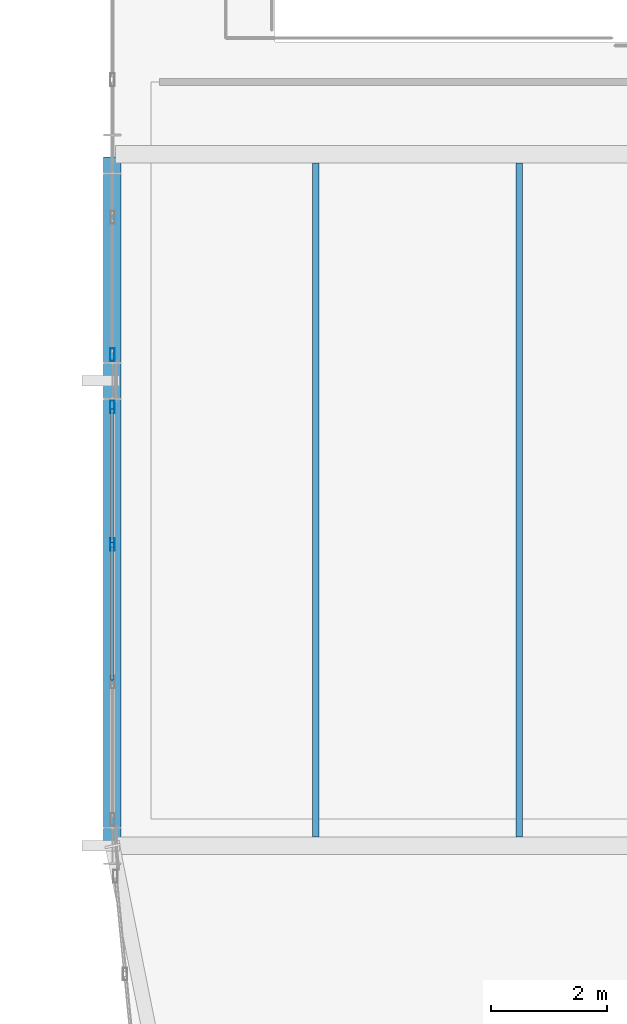
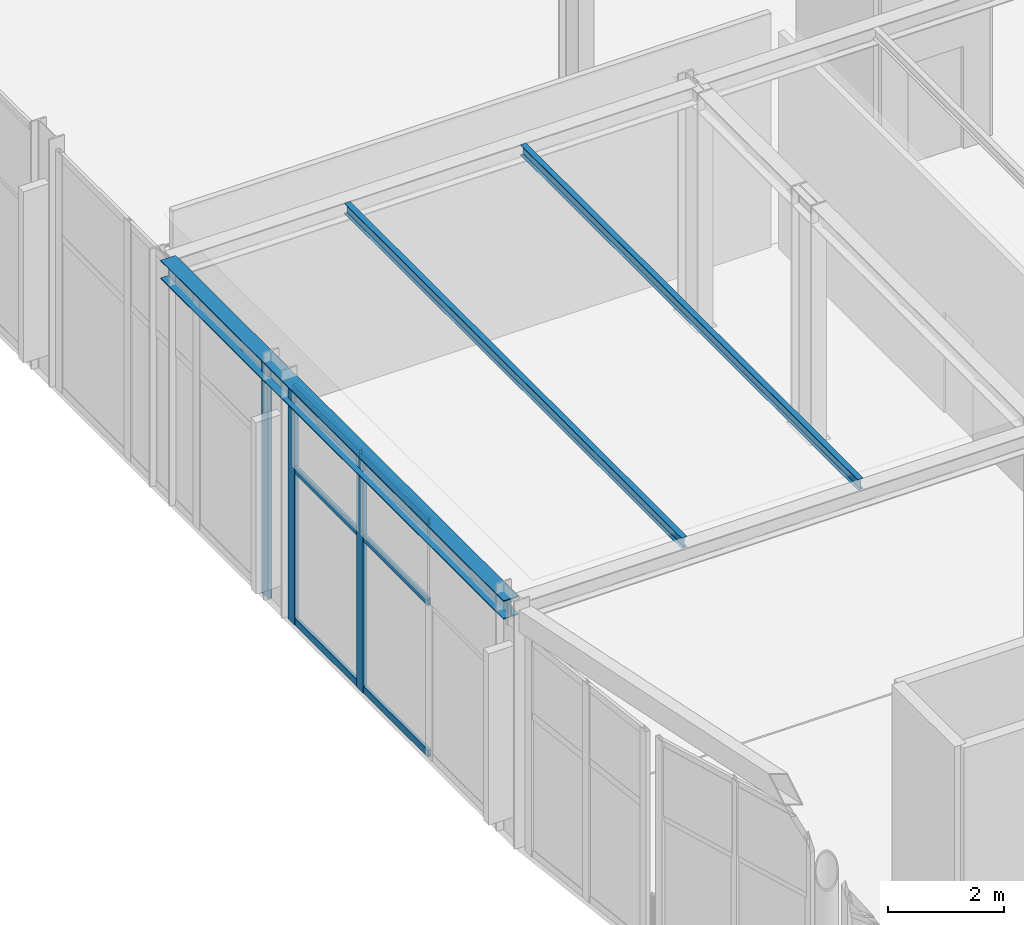
# One storey, part 22 of 195: 9 members, 3 beams, 2 elements without a shape of their own.
"""IFC4 building model written with IfcOpenShell, lengths in metres."""

from ifc_helpers import new_model, si_unit, direction, frame, origin, origin_2d, place, context, subcontext, project, spatial, hollow_rectangle, i_section, extrude, material, layer, layer_set, material_profile, profile_set, type_object, element, aggregate, save


model = new_model("IFC4")

# Units and contexts
model_context = context("Model", 3, precision=1e-05, world=origin(), true_north=direction((0.0, 1.0)))
body_context = subcontext(model_context, "Body", "Model", "MODEL_VIEW")
ifc_project = project(units=[si_unit("LENGTHUNIT", "METRE"), si_unit("AREAUNIT", "SQUARE_METRE"), si_unit("VOLUMEUNIT", "CUBIC_METRE"), si_unit("PLANEANGLEUNIT", "RADIAN"), si_unit("MASSUNIT", "GRAM", prefix="KILO")], contexts=[model_context])

# Site, building, storey
site_placement = place(None, origin())
site = spatial("IfcSite", under=ifc_project, at=site_placement, CompositionType="ELEMENT")
building_placement = place(site_placement, origin())
building = spatial("IfcBuilding", under=site, at=building_placement, Name="Marlcrest Central Station", CompositionType="ELEMENT")
storey_placement = place(building_placement, frame((0.0, 0.0, 9.800048828125)))
storey = spatial("IfcBuildingStorey", under=building, at=storey_placement, Name="L02", CompositionType="ELEMENT", Elevation=9.800048828125)

# Beams
ifc_material_1 = material(Name="Steel S355", Category="steel")
ifc_material_profile_1 = material_profile(ifc_material_1, i_section(OverallWidth=0.300048828125, OverallDepth=0.389892578125, WebThickness=0.010986328125, FlangeThickness=0.01904296875, FilletRadius=0.027099609375, at=origin_2d()), Name="HEA 400")
ifc_profile_set_1 = profile_set([ifc_material_profile_1], Name="Steel S355")
beam_type_1 = type_object("IfcBeamType", Name="BM-08", PredefinedType="BEAM", material=ifc_profile_set_1)
beam_placement = place(storey_placement, frame((87.0, 22.550048828125, 4.800048828125), z_axis=(0.0, 1.0, 0.0), x_axis=(-1.0, 0.0, 0.0)))
element("IfcBeam", 1, at=beam_placement, inside=storey, type_object=beam_type_1, Name="bm-BM-08-L02-01391", PredefinedType="BEAM", context=body_context, shape_type="SweptSolid", body=[
    extrude(i_section(OverallWidth=0.300048828125, OverallDepth=0.389892578125, WebThickness=0.010986328125, FlangeThickness=0.01904296875, FilletRadius=0.027099609375, at=origin_2d()), origin(), (0.0, 0.0, 1.0), 11.800048828125),
])
ifc_material_profile_2 = material_profile(ifc_material_1, i_section(OverallWidth=0.110107421875, OverallDepth=0.219970703125, WebThickness=0.005859375, FlangeThickness=0.00927734375, FilletRadius=0.011962890625, at=origin_2d()), Name="IPE 220")
ifc_profile_set_2 = profile_set([ifc_material_profile_2], Name="Steel S355")
beam_type_2 = type_object("IfcBeamType", Name="JS-02", PredefinedType="JOIST", material=ifc_profile_set_2)
for number, where, z_axis, x_axis, name in (
    (2, (90.5, 22.64794921875, 4.885009765625), (0.0, 1.0, 0.0), (-1.0, 0.0, 0.0), "bm-JS-02-L02-01397"),
    (3, (94.0, 22.64794921875, 4.885009765625), (0.0, 1.0, 0.0), (-1.0, 0.0, 0.0), "bm-JS-02-L02-01398"),
):
    element("IfcBeam", number, at=place(storey_placement, frame(where, z_axis=z_axis, x_axis=x_axis)), inside=storey, type_object=beam_type_2, Name=name, PredefinedType="JOIST", context=body_context, shape_type="SweptSolid", body=[
        extrude(i_section(OverallWidth=0.110107421875, OverallDepth=0.219970703125, WebThickness=0.005859375, FlangeThickness=0.00927734375, FilletRadius=0.011962890625, at=origin_2d()), origin(), (0.0, 0.0, 1.0), 11.60400390625),
    ])

# Curtain wall, members
ifc_material_2 = material(Name="Anodised aluminium and hurricane laminated glass", Category="aluminium")
ifc_layer = layer(ifc_material_2, 0.219970703125, Name="CW-U1")
ifc_layer_set = layer_set([ifc_layer], Name="Anodised aluminium and hurricane laminated glass")
curtain_wall_type = type_object("IfcCurtainWallType", Name="CW-U1", PredefinedType="USERDEFINED", material=ifc_layer_set)
curtain_wall_1_placement = place(storey_placement, origin())
curtain_wall_1 = element("IfcCurtainWall", 4, at=curtain_wall_1_placement, inside=storey, type_object=curtain_wall_type, Name="cw-L02-0099", ObjectType="UNITISED_CURTAIN_WALL", PredefinedType="USERDEFINED")
ifc_material_3 = material(Name="Anodised aluminium 6063-T6", Category="aluminium")
ifc_material_profile_3 = material_profile(ifc_material_3, hollow_rectangle(XDim=0.080078125, YDim=0.219970703125, WallThickness=0.006103515625, at=origin_2d()), Name="AA-RHS 220x80x6")
ifc_profile_set_3 = profile_set([ifc_material_profile_3], Name="Anodised aluminium 6063-T6")
member_type_1 = type_object("IfcMemberType", Name="ML-01", PredefinedType="MULLION", material=ifc_profile_set_3)
member_1_placement = place(storey_placement, frame((87.0, 27.683349609375, -0.030029296875), z_axis=(0.0, 0.0, 1.0), x_axis=(1.0, 0.0, 0.0)))
member_1 = element("IfcMember", 5, at=member_1_placement, type_object=member_type_1, Name="cw-L02-0099-ml-2", PredefinedType="MULLION", context=body_context, shape_type="SweptSolid", body=[
    extrude(hollow_rectangle(XDim=0.080078125, YDim=0.219970703125, WallThickness=0.006103515625, at=origin_2d()), origin(), (0.0, 0.0, 1.0), 5.010009765625),
])
member_2_placement = place(storey_placement, frame((87.0, 30.050048828125, -0.030029296875), z_axis=(0.0, 0.0, 1.0), x_axis=(1.0, 0.0, 0.0)))
member_2 = element("IfcMember", 6, at=member_2_placement, type_object=member_type_1, Name="cw-L02-0099-ml-3", PredefinedType="MULLION", context=body_context, shape_type="SweptSolid", body=[
    extrude(hollow_rectangle(XDim=0.080078125, YDim=0.219970703125, WallThickness=0.006103515625, at=origin_2d()), origin(), (0.0, 0.0, 1.0), 5.010009765625),
])

# Curtain wall, member
curtain_wall_2_placement = place(storey_placement, origin())
curtain_wall_2 = element("IfcCurtainWall", 7, at=curtain_wall_2_placement, inside=storey, type_object=curtain_wall_type, Name="cw-L02-0103", ObjectType="UNITISED_CURTAIN_WALL", PredefinedType="USERDEFINED")
member_3_placement = place(storey_placement, frame((87.0, 30.949951171875, -0.030029296875), z_axis=(0.0, 0.0, 1.0), x_axis=(1.0, 0.0, 0.0)))
member_3 = element("IfcMember", 8, at=member_3_placement, type_object=member_type_1, Name="cw-L02-0103-ml-0", PredefinedType="MULLION", context=body_context, shape_type="SweptSolid", body=[
    extrude(hollow_rectangle(XDim=0.080078125, YDim=0.219970703125, WallThickness=0.006103515625, at=origin_2d()), origin(), (0.0, 0.0, 1.0), 5.010009765625),
])
aggregate(curtain_wall_2, [member_3])

# Member
ifc_material_profile_4 = material_profile(ifc_material_3, hollow_rectangle(XDim=0.06005859375, YDim=0.14990234375, WallThickness=0.00390625, at=origin_2d()), Name="AA-RHS 150x60x4")
ifc_profile_set_4 = profile_set([ifc_material_profile_4], Name="Anodised aluminium 6063-T6")
member_type_2 = type_object("IfcMemberType", Name="TR-01", PredefinedType="USERDEFINED", material=ifc_profile_set_4)
member_4_placement = place(storey_placement, frame((87.0, 25.354736328125, 0.0400390625), z_axis=(0.0, 1.0, 0.0), x_axis=(-1.0, 0.0, 0.0)))
member_4 = element("IfcMember", 9, at=member_4_placement, type_object=member_type_2, Name="cw-L02-0099-tr-1-sill", ObjectType="TRANSOM", PredefinedType="USERDEFINED", context=body_context, shape_type="SweptSolid", body=[
    extrude(hollow_rectangle(XDim=0.06005859375, YDim=0.14990234375, WallThickness=0.00390625, at=origin_2d()), origin(), (0.0, 0.0, 1.0), 2.29052734375),
])

member_5_placement = place(storey_placement, frame((87.0, 25.354736328125, 3.218017578125), z_axis=(0.0, 1.0, 0.0), x_axis=(-1.0, 0.0, 0.0)))
member_5 = element("IfcMember", 10, at=member_5_placement, type_object=member_type_2, Name="cw-L02-0099-tr-1-mid", ObjectType="TRANSOM", PredefinedType="USERDEFINED", context=body_context, shape_type="SweptSolid", body=[
    extrude(hollow_rectangle(XDim=0.06005859375, YDim=0.14990234375, WallThickness=0.00390625, at=origin_2d()), origin(), (0.0, 0.0, 1.0), 2.29052734375),
])

member_6_placement = place(storey_placement, frame((87.0, 25.354736328125, 4.909912109375), z_axis=(0.0, 1.0, 0.0), x_axis=(-1.0, 0.0, 0.0)))
member_6 = element("IfcMember", 11, at=member_6_placement, type_object=member_type_2, Name="cw-L02-0099-tr-1-head", ObjectType="TRANSOM", PredefinedType="USERDEFINED", context=body_context, shape_type="SweptSolid", body=[
    extrude(hollow_rectangle(XDim=0.06005859375, YDim=0.14990234375, WallThickness=0.00390625, at=origin_2d()), origin(), (0.0, 0.0, 1.0), 2.29052734375),
])

member_7_placement = place(storey_placement, frame((87.0, 27.72119140625, 0.0400390625), z_axis=(0.0, 1.0, 0.0), x_axis=(-1.0, 0.0, 0.0)))
member_7 = element("IfcMember", 12, at=member_7_placement, type_object=member_type_2, Name="cw-L02-0099-tr-2-sill", ObjectType="TRANSOM", PredefinedType="USERDEFINED", context=body_context, shape_type="SweptSolid", body=[
    extrude(hollow_rectangle(XDim=0.06005859375, YDim=0.14990234375, WallThickness=0.00390625, at=origin_2d()), origin(), (0.0, 0.0, 1.0), 2.290771484375),
])

member_8_placement = place(storey_placement, frame((87.0, 27.72119140625, 3.218017578125), z_axis=(0.0, 1.0, 0.0), x_axis=(-1.0, 0.0, 0.0)))
member_8 = element("IfcMember", 13, at=member_8_placement, type_object=member_type_2, Name="cw-L02-0099-tr-2-mid", ObjectType="TRANSOM", PredefinedType="USERDEFINED", context=body_context, shape_type="SweptSolid", body=[
    extrude(hollow_rectangle(XDim=0.06005859375, YDim=0.14990234375, WallThickness=0.00390625, at=origin_2d()), origin(), (0.0, 0.0, 1.0), 2.290771484375),
])

member_9_placement = place(storey_placement, frame((87.0, 27.72119140625, 4.909912109375), z_axis=(0.0, 1.0, 0.0), x_axis=(-1.0, 0.0, 0.0)))
member_9 = element("IfcMember", 14, at=member_9_placement, type_object=member_type_2, Name="cw-L02-0099-tr-2-head", ObjectType="TRANSOM", PredefinedType="USERDEFINED", context=body_context, shape_type="SweptSolid", body=[
    extrude(hollow_rectangle(XDim=0.06005859375, YDim=0.14990234375, WallThickness=0.00390625, at=origin_2d()), origin(), (0.0, 0.0, 1.0), 2.290771484375),
])

aggregate(curtain_wall_1, [member_1, member_2, member_4, member_5, member_6, member_7, member_8, member_9])

save(model, "model.ifc")
